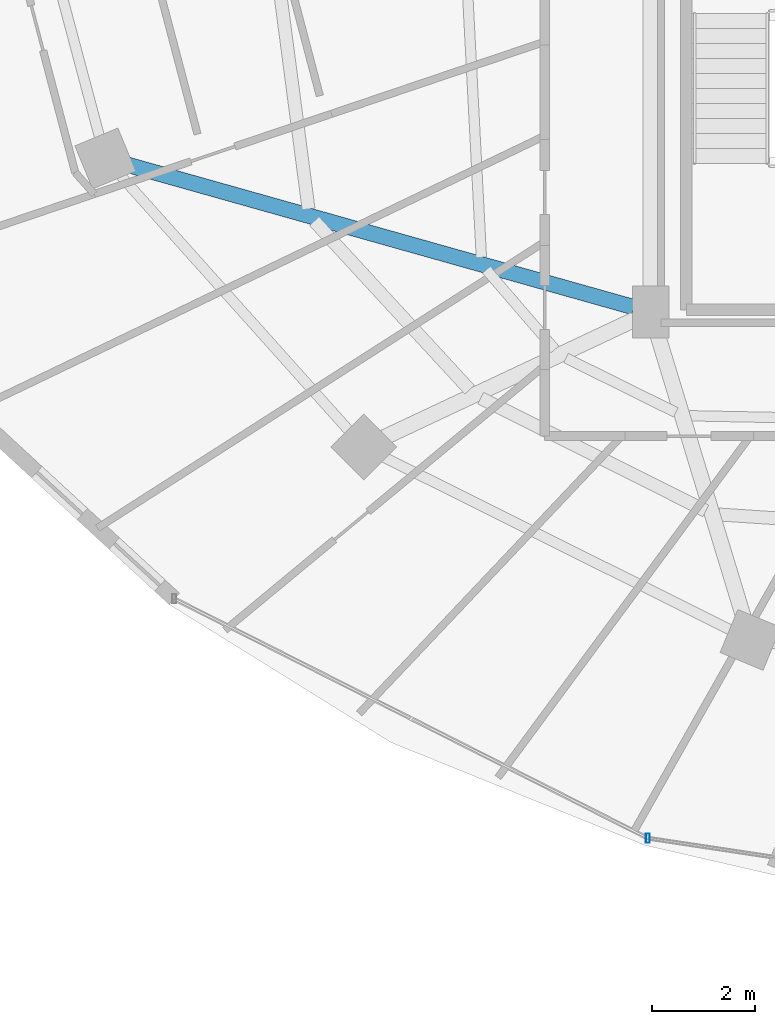
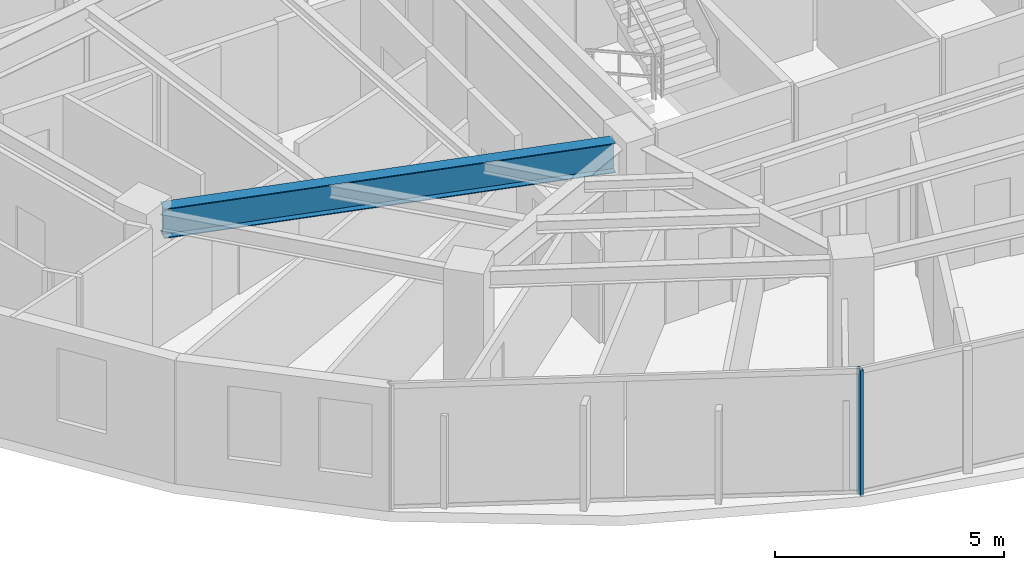
# One storey, part 3 of 34: 1 beam, 1 member, 1 element without a shape of its own.
"""IFC4 building model written with IfcOpenShell, lengths in metres."""

import ifcopenshell
import ifcopenshell.guid

model = None  # the IFC model being written
_history = None  # IfcOwnerHistory: only IFC2X3 demands one
_inside = {}  # id of a spatial element -> (the spatial element, [elements in it])
_under = {}  # id of a project, library or spatial element -> (it, [spatial elements below it])
_declared = {}  # id of a project -> (the project, [libraries it declares])
_typed = {}  # id of a type object -> (the type object, [elements of that type])
_made_of = {}  # id of a material, layer set ... -> (it, [elements and type objects made of it])


def new_model(schema):
    """Start an empty IFC model of exactly this schema.

    Asked for "IFC4X3", IfcOpenShell would pick the latest addendum, in which some entities
    have other attributes; the version numbers below select the first issue.
    IFC2X3 requires an IfcOwnerHistory on every rooted entity: one is made here for all.
    """
    global model, _history
    if schema == "IFC4X3":
        model = ifcopenshell.file(schema_version=(4, 3, 0, 0))
    else:
        model = ifcopenshell.file(schema=schema)
    _inside.clear()
    _under.clear()
    _declared.clear()
    _typed.clear()
    _made_of.clear()
    _history = None
    if model.schema == "IFC2X3":
        org = make("IfcOrganization", Name="unknown")
        user = make(
            "IfcPersonAndOrganization",
            ThePerson=make("IfcPerson", FamilyName="unknown"),
            TheOrganization=org,
        )
        app = make(
            "IfcApplication",
            ApplicationDeveloper=org,
            Version="unknown",
            ApplicationFullName="unknown",
            ApplicationIdentifier="unknown",
        )
        _history = make(
            "IfcOwnerHistory",
            OwningUser=user,
            OwningApplication=app,
            ChangeAction="ADDED",
            CreationDate=0,
        )
    return model


def make(cls, **values):
    """One entity of the class cls with the attributes given. An attribute that is None is left unset."""
    return model.create_entity(
        cls, **{name: value for name, value in values.items() if value is not None}
    )


def rooted(cls, **values):
    """An entity with a GlobalId (a new one), such as an element, a storey or a relation."""
    return make(cls, GlobalId=ifcopenshell.guid.new(), OwnerHistory=_history, **values)


def si_unit(unit_type, name, prefix=None):
    """IfcSIUnit, for example si_unit("LENGTHUNIT", "METRE", prefix="MILLI")."""
    return make("IfcSIUnit", UnitType=unit_type, Prefix=prefix, Name=name)


def assignment(units):
    """IfcUnitAssignment: the units of a project."""
    return None if units is None else make("IfcUnitAssignment", Units=units)


def point(xyz):
    """IfcCartesianPoint."""
    return None if xyz is None else make("IfcCartesianPoint", Coordinates=xyz)


def direction(xyz):
    """IfcDirection."""
    return None if xyz is None else make("IfcDirection", DirectionRatios=xyz)


def frame(location, z_axis=None, x_axis=None):
    """IfcAxis2Placement3D, a coordinate frame: its origin and axes. An axis left out is left unset."""
    return make(
        "IfcAxis2Placement3D",
        Location=point(location),
        Axis=direction(z_axis),
        RefDirection=direction(x_axis),
    )


def frame_2d(location, x_axis=None):
    """IfcAxis2Placement2D, a coordinate frame in the plane: its origin and x axis."""
    return make(
        "IfcAxis2Placement2D", Location=point(location), RefDirection=direction(x_axis)
    )


def origin():
    """The frame at (0, 0, 0) with its axes left unset."""
    return frame((0.0, 0.0, 0.0))


def origin_2d():
    """The frame at (0, 0) in the plane with its x axis left unset."""
    return frame_2d((0.0, 0.0))


def place(relative_to, where):
    """IfcLocalPlacement: puts the frame where relative to a parent placement (None: the world)."""
    return make(
        "IfcLocalPlacement", PlacementRelTo=relative_to, RelativePlacement=where
    )


def context(
    kind, dimensions, precision=None, world=None, true_north=None, identifier=None
):
    """IfcGeometricRepresentationContext, for example the 3D "Model" context."""
    return make(
        "IfcGeometricRepresentationContext",
        ContextIdentifier=identifier,
        ContextType=kind,
        CoordinateSpaceDimension=dimensions,
        Precision=precision,
        WorldCoordinateSystem=world,
        TrueNorth=true_north,
    )


def subcontext(parent, identifier, kind, view, scale=None):
    """IfcGeometricRepresentationSubContext, for example "Body" below "Model"."""
    return make(
        "IfcGeometricRepresentationSubContext",
        ContextIdentifier=identifier,
        ContextType=kind,
        ParentContext=parent,
        TargetScale=scale,
        TargetView=view,
    )


def project(units=None, contexts=None):
    """IfcProject with its units and contexts."""
    return rooted(
        "IfcProject",
        Name="project",
        RepresentationContexts=contexts,
        UnitsInContext=assignment(units),
    )


def spatial(cls, under=None, at=None, **own):
    """A site, building, storey or space (cls), placed at a placement, below another one or the project."""
    s = rooted(cls, ObjectPlacement=at, **own)
    if under is not None:
        _under.setdefault(under.id(), (under, []))[1].append(s)
    return s


def profile(cls, at=None, kind="AREA", **sizes):
    """A parametric profile (cls). Its sizes go by their IFC names, for example OverallWidth=200.0."""
    return make(cls, ProfileType=kind, Position=at, **sizes)


def hollow_rectangle(**sizes):
    """IfcRectangleHollowProfileDef."""
    return profile("IfcRectangleHollowProfileDef", **sizes)


def i_section(**sizes):
    """IfcIShapeProfileDef."""
    return profile("IfcIShapeProfileDef", **sizes)


def extrude(swept, where, along, depth):
    """IfcExtrudedAreaSolid: the profile swept, set in the frame where, extruded along a direction by depth."""
    return make(
        "IfcExtrudedAreaSolid",
        SweptArea=swept,
        Position=where,
        ExtrudedDirection=direction(along),
        Depth=depth,
    )


def shape(context_of_items, identifier, shape_type, items):
    """IfcShapeRepresentation: the items that make up one representation, for example the "Body"."""
    return make(
        "IfcShapeRepresentation",
        ContextOfItems=context_of_items,
        RepresentationIdentifier=identifier,
        RepresentationType=shape_type,
        Items=items,
    )


def material(Name=None, Category=None):
    """IfcMaterial."""
    return make("IfcMaterial", Name=Name, Category=Category)


def material_profile(
    of_material, cross_section, Name=None, Category=None, Priority=None
):
    """IfcMaterialProfile: a cross section and its material."""
    return make(
        "IfcMaterialProfile",
        Name=Name,
        Material=of_material,
        Profile=cross_section,
        Priority=Priority,
        Category=Category,
    )


def profile_set(profiles, Name=None, composite=None):
    """IfcMaterialProfileSet."""
    return make(
        "IfcMaterialProfileSet",
        Name=Name,
        MaterialProfiles=profiles,
        CompositeProfile=composite,
    )


def made_of(thing, what):
    """Note that an element or type object is made of a material, layer set ...; save() writes the relation."""
    if what is not None:
        _made_of.setdefault(what.id(), (what, []))[1].append(thing)
    return thing


def type_object(cls, material=None, **own):
    """A type object (cls), such as IfcWallType, which elements share."""
    return made_of(rooted(cls, **own), material)


def element(
    cls,
    number,
    at=None,
    inside=None,
    cuts=None,
    type_object=None,
    material=None,
    context=None,
    identifier="Body",
    shape_type=None,
    held_by="IfcProductDefinitionShape",
    body=None,
    shapes=None,
    **own,
):
    """One element of the class cls, such as IfcWall. Its Tag is "e" and its number.

    at: its placement. inside: the storey or other place that contains it. cuts: it is an
    opening in that element (IfcRelVoidsElement). A single representation is given by context,
    identifier, shape_type and body (its items); several are given by shapes. held_by: the class
    of the entity that holds the representations. save() writes the other relations.
    """
    e = rooted(cls, Tag="e%d" % number, ObjectPlacement=at, **own)
    if body is not None:
        shapes = [shape(context, identifier, shape_type, body)]
    if shapes is not None:
        e.Representation = make(held_by, Representations=shapes)
    if inside is not None:
        _inside.setdefault(inside.id(), (inside, []))[1].append(e)
    if cuts is not None:
        rooted(
            "IfcRelVoidsElement", RelatingBuildingElement=cuts, RelatedOpeningElement=e
        )
    if type_object is not None:
        _typed.setdefault(type_object.id(), (type_object, []))[1].append(e)
    return made_of(e, material)


def aggregate(whole, parts):
    """IfcRelAggregates: a whole, such as a stair, and the parts it consists of."""
    return rooted("IfcRelAggregates", RelatingObject=whole, RelatedObjects=parts)


def save(model, path):
    """Write the relations noted so far, then the file.

    IfcRelAggregates (storeys below a building ...), IfcRelContainedInSpatialStructure (elements
    in a storey), IfcRelDefinesByType, IfcRelAssociatesMaterial and IfcRelDeclares: one each for
    every whole, place, type object, material and project.
    """
    for whole, parts in _under.values():
        aggregate(whole, parts)
    for where, things in _inside.values():
        rooted(
            "IfcRelContainedInSpatialStructure",
            RelatedElements=things,
            RelatingStructure=where,
        )
    for kind, things in _typed.values():
        rooted("IfcRelDefinesByType", RelatedObjects=things, RelatingType=kind)
    for what, things in _made_of.values():
        rooted("IfcRelAssociatesMaterial", RelatedObjects=things, RelatingMaterial=what)
    for by, libraries in _declared.values():
        rooted("IfcRelDeclares", RelatingContext=by, RelatedDefinitions=libraries)
    model.write(path)


model = new_model("IFC4")

# Units and contexts
model_context = context("Model", 3, precision=1e-05, world=origin(), true_north=direction((0.0, 1.0)))
body_context = subcontext(model_context, "Body", "Model", "MODEL_VIEW")
ifc_project = project(units=[si_unit("LENGTHUNIT", "METRE"), si_unit("AREAUNIT", "SQUARE_METRE"), si_unit("VOLUMEUNIT", "CUBIC_METRE"), si_unit("PLANEANGLEUNIT", "RADIAN"), si_unit("MASSUNIT", "GRAM", prefix="KILO")], contexts=[model_context])

# Site, building, storey
site_placement = place(None, origin())
site = spatial("IfcSite", under=ifc_project, at=site_placement, CompositionType="ELEMENT")
building_placement = place(site_placement, origin())
building = spatial("IfcBuilding", under=site, at=building_placement, Name="Vorneva Point Tower", CompositionType="ELEMENT")
storey_placement = place(building_placement, frame((0.0, 0.0, 214.300048828125)))
storey = spatial("IfcBuildingStorey", under=building, at=storey_placement, Name="L58", CompositionType="ELEMENT", Elevation=214.300048828125)

# Beam
ifc_material_1 = material(Name="Steel S355", Category="steel")
ifc_material_profile_1 = material_profile(ifc_material_1, i_section(OverallWidth=0.300048828125, OverallDepth=0.7880859375, WebThickness=0.014404296875, FlangeThickness=0.02197265625, at=origin_2d()), Name="80Sh1")
ifc_profile_set_1 = profile_set([ifc_material_profile_1], Name="Steel S355")
beam_type = type_object("IfcBeamType", Name="BM-GRD-80Sh1", PredefinedType="USERDEFINED", material=ifc_profile_set_1)
beam_placement = place(storey_placement, frame((17.126220703125, 19.299072265625, 2.89599609375), z_axis=(0.962603641144, -0.270913694847, 0.0), x_axis=(0.270913694847, 0.962603641144, 0.0)))
element("IfcBeam", 1, at=beam_placement, inside=storey, type_object=beam_type, Name="L58 Radial Primary Girder 10", ObjectType="GIRDER", PredefinedType="USERDEFINED", context=body_context, shape_type="SweptSolid", body=[
    extrude(i_section(OverallWidth=0.300048828125, OverallDepth=0.7880859375, WebThickness=0.014404296875, FlangeThickness=0.02197265625, at=origin_2d()), origin(), (0.0, 0.0, 1.0), 10.177001953125),
])

# Curtain wall, member
ifc_material_2 = material(Name="Pale anodised aluminium", Category="aluminium")
curtain_wall_type = type_object("IfcCurtainWallType", Name="CW-RES-SYS", PredefinedType="NOTDEFINED", material=ifc_material_2)
curtain_wall_placement = place(storey_placement, origin())
curtain_wall = element("IfcCurtainWall", 2, at=curtain_wall_placement, inside=storey, type_object=curtain_wall_type, Name="L58 Unitised Curtain Wall CW-L58-R04", PredefinedType="NOTDEFINED")
ifc_material_profile_2 = material_profile(ifc_material_2, hollow_rectangle(XDim=0.074951171875, YDim=0.179931640625, WallThickness=0.00390625, at=origin_2d()), Name="AL-MUL 180x75x4")
ifc_profile_set_2 = profile_set([ifc_material_profile_2], Name="Pale anodised aluminium")
member_type = type_object("IfcMemberType", Name="CW-MUL-180", PredefinedType="MULLION", material=ifc_profile_set_2)
member_placement = place(storey_placement, frame((27.19677734375, 6.275146484375, -0.0400390625), z_axis=(0.0, 0.0, 1.0), x_axis=(1.0, 0.0, 0.0)))
member = element("IfcMember", 3, at=member_placement, type_object=member_type, Name="CW-L58-R04 Mullion 02", PredefinedType="MULLION", context=body_context, shape_type="SweptSolid", body=[
    extrude(hollow_rectangle(XDim=0.074951171875, YDim=0.179931640625, WallThickness=0.00390625, at=origin_2d()), origin(), (0.0, 0.0, 1.0), 3.360107421875),
])
aggregate(curtain_wall, [member])

save(model, "model.ifc")
